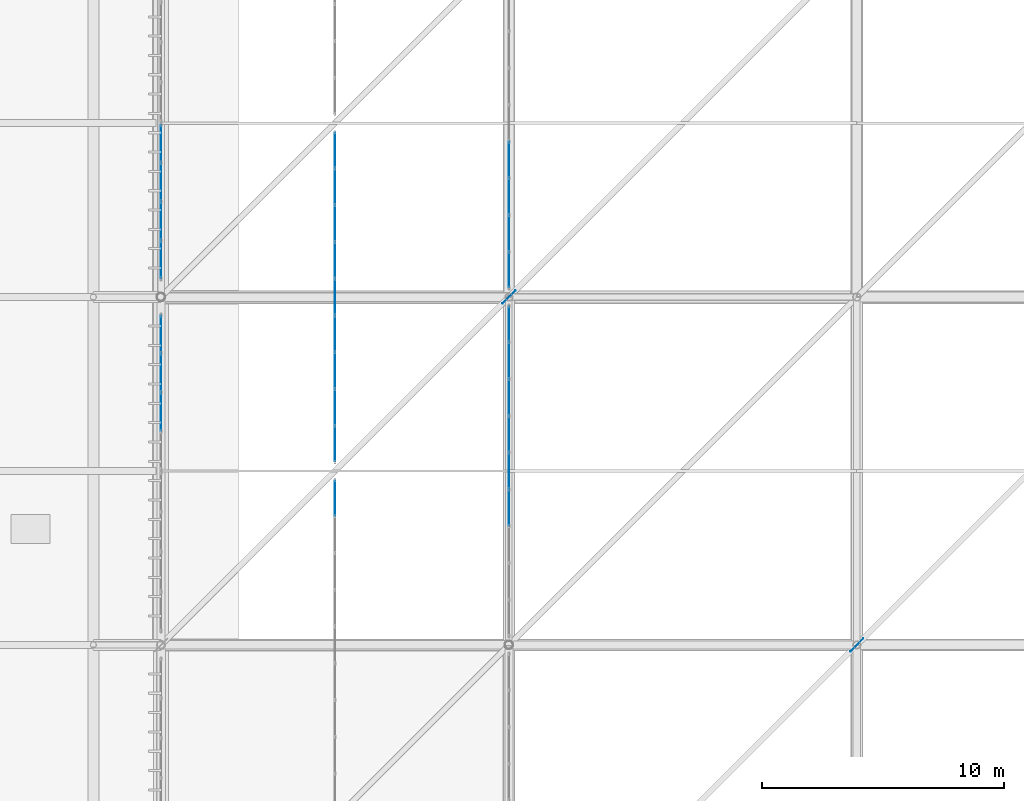
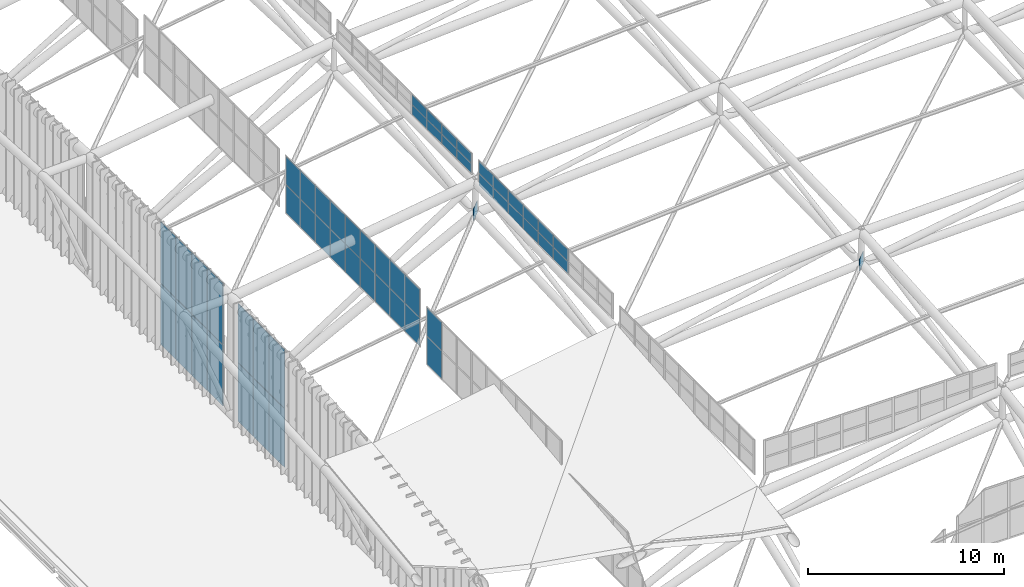
# One storey, part 363 of 397: 56 plates, 6 elements without a shape of their own.
"""IFC4 building model written with IfcOpenShell, lengths in metres."""

from ifc_helpers import new_model, si_unit, direction, frame, origin, origin_2d, place, context, subcontext, project, spatial, rectangle, extrude, material, layer, layer_set, type_object, element, aggregate, save


model = new_model("IFC4")

# Units and contexts
model_context = context("Model", 3, precision=1e-05, world=origin(), true_north=direction((0.0, 1.0)))
body_context = subcontext(model_context, "Body", "Model", "MODEL_VIEW")
ifc_project = project(units=[si_unit("LENGTHUNIT", "METRE"), si_unit("AREAUNIT", "SQUARE_METRE"), si_unit("VOLUMEUNIT", "CUBIC_METRE"), si_unit("PLANEANGLEUNIT", "RADIAN"), si_unit("MASSUNIT", "GRAM", prefix="KILO")], contexts=[model_context])

# Site, building, storey
site_placement = place(None, origin())
site = spatial("IfcSite", under=ifc_project, at=site_placement, CompositionType="ELEMENT")
building_placement = place(site_placement, origin())
building = spatial("IfcBuilding", under=site, at=building_placement, Name="Qandorah Velis Arena", CompositionType="ELEMENT")
storey_placement = place(building_placement, frame((0.0, 0.0, 27.5)))
storey = spatial("IfcBuildingStorey", under=building, at=storey_placement, Name="RF", CompositionType="ELEMENT", Elevation=27.5)

# Curtain wall, plates
ifc_material_1 = material(Name="Solar-control low-E double glazing", Category="glass")
curtain_wall_type_1 = type_object("IfcCurtainWallType", Name="ARC-CW-SYS08", PredefinedType="USERDEFINED", material=ifc_material_1)
curtain_wall_1_placement = place(storey_placement, origin())
curtain_wall_1 = element("IfcCurtainWall", 1, at=curtain_wall_1_placement, inside=storey, type_object=curtain_wall_type_1, Name="Unitised curtain wall MON-1-2", ObjectType="UNITISED CURTAIN WALL", PredefinedType="USERDEFINED")
ifc_layer_1 = layer(ifc_material_1, 0.030029296875)
ifc_layer_set_1 = layer_set([ifc_layer_1], Name="Solar-control low-E double glazing")
plate_type_1 = type_object("IfcPlateType", Name="ARC-CWP-GLZ30", PredefinedType="CURTAIN_PANEL", material=ifc_layer_set_1)
plate_1_placement = place(storey_placement, frame((21.60009765625, 49.275146484375, 5.1943359375), z_axis=(0.0, 0.0, 1.0), x_axis=(0.0, 1.0, 0.0)))
plate_1 = element("IfcPlate", 2, at=plate_1_placement, type_object=plate_type_1, Name="CW08 panel 9.1", PredefinedType="CURTAIN_PANEL", context=body_context, shape_type="SweptSolid", body=[
    extrude(rectangle(XDim=1.459716796875, YDim=0.030029296875, at=origin_2d()), origin(), (0.0, 0.0, 1.0), 1.737548828125),
])
plate_2_placement = place(storey_placement, frame((21.60009765625, 49.275146484375, 6.966796875), z_axis=(0.0, 0.0, 1.0), x_axis=(0.0, 1.0, 0.0)))
plate_2 = element("IfcPlate", 3, at=plate_2_placement, type_object=plate_type_1, Name="CW08 panel 9.2", PredefinedType="CURTAIN_PANEL", context=body_context, shape_type="SweptSolid", body=[
    extrude(rectangle(XDim=1.459716796875, YDim=0.030029296875, at=origin_2d()), origin(), (0.0, 0.0, 1.0), 1.737548828125),
])
aggregate(curtain_wall_1, [plate_1, plate_2])

curtain_wall_type_2 = type_object("IfcCurtainWallType", Name="ARC-CW-SYS09", PredefinedType="USERDEFINED", material=ifc_material_1)
curtain_wall_2_placement = place(storey_placement, origin())
curtain_wall_2 = element("IfcCurtainWall", 4, at=curtain_wall_2_placement, inside=storey, type_object=curtain_wall_type_2, Name="Unitised curtain wall MON-1-3", ObjectType="UNITISED CURTAIN WALL", PredefinedType="USERDEFINED")
plate_3_placement = place(storey_placement, frame((21.60009765625, 51.52490234375, 5.89013671875), z_axis=(0.0, 0.0, 1.0), x_axis=(0.0, 1.0, 0.0)))
plate_3 = element("IfcPlate", 5, at=plate_3_placement, type_object=plate_type_1, Name="CW09 panel 1.1", PredefinedType="CURTAIN_PANEL", context=body_context, shape_type="SweptSolid", body=[
    extrude(rectangle(XDim=1.459716796875, YDim=0.030029296875, at=origin_2d()), origin(), (0.0, 0.0, 1.0), 1.737548828125),
])
plate_4_placement = place(storey_placement, frame((21.60009765625, 51.52490234375, 7.66259765625), z_axis=(0.0, 0.0, 1.0), x_axis=(0.0, 1.0, 0.0)))
plate_4 = element("IfcPlate", 6, at=plate_4_placement, type_object=plate_type_1, Name="CW09 panel 1.2", PredefinedType="CURTAIN_PANEL", context=body_context, shape_type="SweptSolid", body=[
    extrude(rectangle(XDim=1.459716796875, YDim=0.030029296875, at=origin_2d()), origin(), (0.0, 0.0, 1.0), 1.737548828125),
])
plate_5_placement = place(storey_placement, frame((21.60009765625, 53.033447265625, 5.89013671875), z_axis=(0.0, 0.0, 1.0), x_axis=(0.0, 1.0, 0.0)))
plate_5 = element("IfcPlate", 7, at=plate_5_placement, type_object=plate_type_1, Name="CW09 panel 2.1", PredefinedType="CURTAIN_PANEL", context=body_context, shape_type="SweptSolid", body=[
    extrude(rectangle(XDim=1.4873046875, YDim=0.030029296875, at=origin_2d()), origin(), (0.0, 0.0, 1.0), 1.737548828125),
])
plate_6_placement = place(storey_placement, frame((21.60009765625, 53.033447265625, 7.66259765625), z_axis=(0.0, 0.0, 1.0), x_axis=(0.0, 1.0, 0.0)))
plate_6 = element("IfcPlate", 8, at=plate_6_placement, type_object=plate_type_1, Name="CW09 panel 2.2", PredefinedType="CURTAIN_PANEL", context=body_context, shape_type="SweptSolid", body=[
    extrude(rectangle(XDim=1.4873046875, YDim=0.030029296875, at=origin_2d()), origin(), (0.0, 0.0, 1.0), 1.737548828125),
])
plate_7_placement = place(storey_placement, frame((21.60009765625, 54.5556640625, 5.89013671875), z_axis=(0.0, 0.0, 1.0), x_axis=(0.0, 1.0, 0.0)))
plate_7 = element("IfcPlate", 9, at=plate_7_placement, type_object=plate_type_1, Name="CW09 panel 3.1", PredefinedType="CURTAIN_PANEL", context=body_context, shape_type="SweptSolid", body=[
    extrude(rectangle(XDim=1.4873046875, YDim=0.030029296875, at=origin_2d()), origin(), (0.0, 0.0, 1.0), 1.737548828125),
])
plate_8_placement = place(storey_placement, frame((21.60009765625, 54.5556640625, 7.66259765625), z_axis=(0.0, 0.0, 1.0), x_axis=(0.0, 1.0, 0.0)))
plate_8 = element("IfcPlate", 10, at=plate_8_placement, type_object=plate_type_1, Name="CW09 panel 3.2", PredefinedType="CURTAIN_PANEL", context=body_context, shape_type="SweptSolid", body=[
    extrude(rectangle(XDim=1.4873046875, YDim=0.030029296875, at=origin_2d()), origin(), (0.0, 0.0, 1.0), 1.737548828125),
])
plate_9_placement = place(storey_placement, frame((21.60009765625, 56.077880859375, 5.89013671875), z_axis=(0.0, 0.0, 1.0), x_axis=(0.0, 1.0, 0.0)))
plate_9 = element("IfcPlate", 11, at=plate_9_placement, type_object=plate_type_1, Name="CW09 panel 4.1", PredefinedType="CURTAIN_PANEL", context=body_context, shape_type="SweptSolid", body=[
    extrude(rectangle(XDim=1.4873046875, YDim=0.030029296875, at=origin_2d()), origin(), (0.0, 0.0, 1.0), 1.737548828125),
])
plate_10_placement = place(storey_placement, frame((21.60009765625, 56.077880859375, 7.66259765625), z_axis=(0.0, 0.0, 1.0), x_axis=(0.0, 1.0, 0.0)))
plate_10 = element("IfcPlate", 12, at=plate_10_placement, type_object=plate_type_1, Name="CW09 panel 4.2", PredefinedType="CURTAIN_PANEL", context=body_context, shape_type="SweptSolid", body=[
    extrude(rectangle(XDim=1.4873046875, YDim=0.030029296875, at=origin_2d()), origin(), (0.0, 0.0, 1.0), 1.737548828125),
])
plate_11_placement = place(storey_placement, frame((21.60009765625, 57.60009765625, 5.89013671875), z_axis=(0.0, 0.0, 1.0), x_axis=(0.0, 1.0, 0.0)))
plate_11 = element("IfcPlate", 13, at=plate_11_placement, type_object=plate_type_1, Name="CW09 panel 5.1", PredefinedType="CURTAIN_PANEL", context=body_context, shape_type="SweptSolid", body=[
    extrude(rectangle(XDim=1.4873046875, YDim=0.030029296875, at=origin_2d()), origin(), (0.0, 0.0, 1.0), 1.737548828125),
])
plate_12_placement = place(storey_placement, frame((21.60009765625, 57.60009765625, 7.66259765625), z_axis=(0.0, 0.0, 1.0), x_axis=(0.0, 1.0, 0.0)))
plate_12 = element("IfcPlate", 14, at=plate_12_placement, type_object=plate_type_1, Name="CW09 panel 5.2", PredefinedType="CURTAIN_PANEL", context=body_context, shape_type="SweptSolid", body=[
    extrude(rectangle(XDim=1.4873046875, YDim=0.030029296875, at=origin_2d()), origin(), (0.0, 0.0, 1.0), 1.737548828125),
])
plate_13_placement = place(storey_placement, frame((21.60009765625, 59.122314453125, 5.89013671875), z_axis=(0.0, 0.0, 1.0), x_axis=(0.0, 1.0, 0.0)))
plate_13 = element("IfcPlate", 15, at=plate_13_placement, type_object=plate_type_1, Name="CW09 panel 6.1", PredefinedType="CURTAIN_PANEL", context=body_context, shape_type="SweptSolid", body=[
    extrude(rectangle(XDim=1.4873046875, YDim=0.030029296875, at=origin_2d()), origin(), (0.0, 0.0, 1.0), 1.737548828125),
])
plate_14_placement = place(storey_placement, frame((21.60009765625, 59.122314453125, 7.66259765625), z_axis=(0.0, 0.0, 1.0), x_axis=(0.0, 1.0, 0.0)))
plate_14 = element("IfcPlate", 16, at=plate_14_placement, type_object=plate_type_1, Name="CW09 panel 6.2", PredefinedType="CURTAIN_PANEL", context=body_context, shape_type="SweptSolid", body=[
    extrude(rectangle(XDim=1.4873046875, YDim=0.030029296875, at=origin_2d()), origin(), (0.0, 0.0, 1.0), 1.737548828125),
])
plate_15_placement = place(storey_placement, frame((21.60009765625, 60.64453125, 5.89013671875), z_axis=(0.0, 0.0, 1.0), x_axis=(0.0, 1.0, 0.0)))
plate_15 = element("IfcPlate", 17, at=plate_15_placement, type_object=plate_type_1, Name="CW09 panel 7.1", PredefinedType="CURTAIN_PANEL", context=body_context, shape_type="SweptSolid", body=[
    extrude(rectangle(XDim=1.4873046875, YDim=0.030029296875, at=origin_2d()), origin(), (0.0, 0.0, 1.0), 1.737548828125),
])
plate_16_placement = place(storey_placement, frame((21.60009765625, 60.64453125, 7.66259765625), z_axis=(0.0, 0.0, 1.0), x_axis=(0.0, 1.0, 0.0)))
plate_16 = element("IfcPlate", 18, at=plate_16_placement, type_object=plate_type_1, Name="CW09 panel 7.2", PredefinedType="CURTAIN_PANEL", context=body_context, shape_type="SweptSolid", body=[
    extrude(rectangle(XDim=1.4873046875, YDim=0.030029296875, at=origin_2d()), origin(), (0.0, 0.0, 1.0), 1.737548828125),
])
plate_17_placement = place(storey_placement, frame((21.60009765625, 62.166748046875, 5.89013671875), z_axis=(0.0, 0.0, 1.0), x_axis=(0.0, 1.0, 0.0)))
plate_17 = element("IfcPlate", 19, at=plate_17_placement, type_object=plate_type_1, Name="CW09 panel 8.1", PredefinedType="CURTAIN_PANEL", context=body_context, shape_type="SweptSolid", body=[
    extrude(rectangle(XDim=1.4873046875, YDim=0.030029296875, at=origin_2d()), origin(), (0.0, 0.0, 1.0), 1.737548828125),
])
plate_18_placement = place(storey_placement, frame((21.60009765625, 62.166748046875, 7.66259765625), z_axis=(0.0, 0.0, 1.0), x_axis=(0.0, 1.0, 0.0)))
plate_18 = element("IfcPlate", 20, at=plate_18_placement, type_object=plate_type_1, Name="CW09 panel 8.2", PredefinedType="CURTAIN_PANEL", context=body_context, shape_type="SweptSolid", body=[
    extrude(rectangle(XDim=1.4873046875, YDim=0.030029296875, at=origin_2d()), origin(), (0.0, 0.0, 1.0), 1.737548828125),
])
plate_19_placement = place(storey_placement, frame((21.60009765625, 63.675048828125, 5.89013671875), z_axis=(0.0, 0.0, 1.0), x_axis=(0.0, 1.0, 0.0)))
plate_19 = element("IfcPlate", 21, at=plate_19_placement, type_object=plate_type_1, Name="CW09 panel 9.1", PredefinedType="CURTAIN_PANEL", context=body_context, shape_type="SweptSolid", body=[
    extrude(rectangle(XDim=1.459716796875, YDim=0.030029296875, at=origin_2d()), origin(), (0.0, 0.0, 1.0), 1.737548828125),
])
plate_20_placement = place(storey_placement, frame((21.60009765625, 63.675048828125, 7.66259765625), z_axis=(0.0, 0.0, 1.0), x_axis=(0.0, 1.0, 0.0)))
plate_20 = element("IfcPlate", 22, at=plate_20_placement, type_object=plate_type_1, Name="CW09 panel 9.2", PredefinedType="CURTAIN_PANEL", context=body_context, shape_type="SweptSolid", body=[
    extrude(rectangle(XDim=1.459716796875, YDim=0.030029296875, at=origin_2d()), origin(), (0.0, 0.0, 1.0), 1.737548828125),
])
aggregate(curtain_wall_2, [plate_3, plate_4, plate_5, plate_6, plate_7, plate_8, plate_9, plate_10, plate_11, plate_12, plate_13, plate_14, plate_15, plate_16, plate_17, plate_18, plate_19, plate_20])

curtain_wall_type_3 = type_object("IfcCurtainWallType", Name="ARC-CW-SYS07", PredefinedType="USERDEFINED", material=ifc_material_1)
curtain_wall_3_placement = place(storey_placement, origin())
curtain_wall_3 = element("IfcCurtainWall", 23, at=curtain_wall_3_placement, inside=storey, type_object=curtain_wall_type_3, Name="Unitised curtain wall OCULUS-1-2", ObjectType="UNITISED CURTAIN WALL", PredefinedType="USERDEFINED")
plate_21_placement = place(storey_placement, frame((28.800048828125, 48.877685546875, 9.47265625), z_axis=(0.0, 0.0, 1.0), x_axis=(0.0, 1.0, 0.0)))
plate_21 = element("IfcPlate", 24, at=plate_21_placement, type_object=plate_type_1, Name="CW07 panel 4.1", PredefinedType="CURTAIN_PANEL", context=body_context, shape_type="SweptSolid", body=[
    extrude(rectangle(XDim=1.4873046875, YDim=0.030029296875, at=origin_2d()), origin(), (0.0, 0.0, 1.0), 0.723876953125),
])
plate_22_placement = place(storey_placement, frame((28.800048828125, 48.877685546875, 10.2314453125), z_axis=(0.0, 0.0, 1.0), x_axis=(0.0, 1.0, 0.0)))
plate_22 = element("IfcPlate", 25, at=plate_22_placement, type_object=plate_type_1, Name="CW07 panel 4.2", PredefinedType="CURTAIN_PANEL", context=body_context, shape_type="SweptSolid", body=[
    extrude(rectangle(XDim=1.4873046875, YDim=0.030029296875, at=origin_2d()), origin(), (0.0, 0.0, 1.0), 0.7236328125),
])
plate_23_placement = place(storey_placement, frame((28.800048828125, 50.39990234375, 9.47265625), z_axis=(0.0, 0.0, 1.0), x_axis=(0.0, 1.0, 0.0)))
plate_23 = element("IfcPlate", 26, at=plate_23_placement, type_object=plate_type_1, Name="CW07 panel 5.1", PredefinedType="CURTAIN_PANEL", context=body_context, shape_type="SweptSolid", body=[
    extrude(rectangle(XDim=1.4873046875, YDim=0.030029296875, at=origin_2d()), origin(), (0.0, 0.0, 1.0), 0.723876953125),
])
plate_24_placement = place(storey_placement, frame((28.800048828125, 50.39990234375, 10.2314453125), z_axis=(0.0, 0.0, 1.0), x_axis=(0.0, 1.0, 0.0)))
plate_24 = element("IfcPlate", 27, at=plate_24_placement, type_object=plate_type_1, Name="CW07 panel 5.2", PredefinedType="CURTAIN_PANEL", context=body_context, shape_type="SweptSolid", body=[
    extrude(rectangle(XDim=1.4873046875, YDim=0.030029296875, at=origin_2d()), origin(), (0.0, 0.0, 1.0), 0.7236328125),
])
plate_25_placement = place(storey_placement, frame((28.800048828125, 51.922119140625, 9.47265625), z_axis=(0.0, 0.0, 1.0), x_axis=(0.0, 1.0, 0.0)))
plate_25 = element("IfcPlate", 28, at=plate_25_placement, type_object=plate_type_1, Name="CW07 panel 6.1", PredefinedType="CURTAIN_PANEL", context=body_context, shape_type="SweptSolid", body=[
    extrude(rectangle(XDim=1.4873046875, YDim=0.030029296875, at=origin_2d()), origin(), (0.0, 0.0, 1.0), 0.723876953125),
])
plate_26_placement = place(storey_placement, frame((28.800048828125, 51.922119140625, 10.2314453125), z_axis=(0.0, 0.0, 1.0), x_axis=(0.0, 1.0, 0.0)))
plate_26 = element("IfcPlate", 29, at=plate_26_placement, type_object=plate_type_1, Name="CW07 panel 6.2", PredefinedType="CURTAIN_PANEL", context=body_context, shape_type="SweptSolid", body=[
    extrude(rectangle(XDim=1.4873046875, YDim=0.030029296875, at=origin_2d()), origin(), (0.0, 0.0, 1.0), 0.7236328125),
])
plate_27_placement = place(storey_placement, frame((28.800048828125, 53.4443359375, 9.47265625), z_axis=(0.0, 0.0, 1.0), x_axis=(0.0, 1.0, 0.0)))
plate_27 = element("IfcPlate", 30, at=plate_27_placement, type_object=plate_type_1, Name="CW07 panel 7.1", PredefinedType="CURTAIN_PANEL", context=body_context, shape_type="SweptSolid", body=[
    extrude(rectangle(XDim=1.4873046875, YDim=0.030029296875, at=origin_2d()), origin(), (0.0, 0.0, 1.0), 0.723876953125),
])
plate_28_placement = place(storey_placement, frame((28.800048828125, 53.4443359375, 10.2314453125), z_axis=(0.0, 0.0, 1.0), x_axis=(0.0, 1.0, 0.0)))
plate_28 = element("IfcPlate", 31, at=plate_28_placement, type_object=plate_type_1, Name="CW07 panel 7.2", PredefinedType="CURTAIN_PANEL", context=body_context, shape_type="SweptSolid", body=[
    extrude(rectangle(XDim=1.4873046875, YDim=0.030029296875, at=origin_2d()), origin(), (0.0, 0.0, 1.0), 0.7236328125),
])
plate_29_placement = place(storey_placement, frame((28.800048828125, 54.966552734375, 9.47265625), z_axis=(0.0, 0.0, 1.0), x_axis=(0.0, 1.0, 0.0)))
plate_29 = element("IfcPlate", 32, at=plate_29_placement, type_object=plate_type_1, Name="CW07 panel 8.1", PredefinedType="CURTAIN_PANEL", context=body_context, shape_type="SweptSolid", body=[
    extrude(rectangle(XDim=1.4873046875, YDim=0.030029296875, at=origin_2d()), origin(), (0.0, 0.0, 1.0), 0.723876953125),
])
plate_30_placement = place(storey_placement, frame((28.800048828125, 54.966552734375, 10.2314453125), z_axis=(0.0, 0.0, 1.0), x_axis=(0.0, 1.0, 0.0)))
plate_30 = element("IfcPlate", 33, at=plate_30_placement, type_object=plate_type_1, Name="CW07 panel 8.2", PredefinedType="CURTAIN_PANEL", context=body_context, shape_type="SweptSolid", body=[
    extrude(rectangle(XDim=1.4873046875, YDim=0.030029296875, at=origin_2d()), origin(), (0.0, 0.0, 1.0), 0.7236328125),
])
plate_31_placement = place(storey_placement, frame((28.800048828125, 56.47509765625, 9.47265625), z_axis=(0.0, 0.0, 1.0), x_axis=(0.0, 1.0, 0.0)))
plate_31 = element("IfcPlate", 34, at=plate_31_placement, type_object=plate_type_1, Name="CW07 panel 9.1", PredefinedType="CURTAIN_PANEL", context=body_context, shape_type="SweptSolid", body=[
    extrude(rectangle(XDim=1.459716796875, YDim=0.030029296875, at=origin_2d()), origin(), (0.0, 0.0, 1.0), 0.723876953125),
])
plate_32_placement = place(storey_placement, frame((28.800048828125, 56.47509765625, 10.2314453125), z_axis=(0.0, 0.0, 1.0), x_axis=(0.0, 1.0, 0.0)))
plate_32 = element("IfcPlate", 35, at=plate_32_placement, type_object=plate_type_1, Name="CW07 panel 9.2", PredefinedType="CURTAIN_PANEL", context=body_context, shape_type="SweptSolid", body=[
    extrude(rectangle(XDim=1.459716796875, YDim=0.030029296875, at=origin_2d()), origin(), (0.0, 0.0, 1.0), 0.7236328125),
])
aggregate(curtain_wall_3, [plate_21, plate_22, plate_23, plate_24, plate_25, plate_26, plate_27, plate_28, plate_29, plate_30, plate_31, plate_32])

curtain_wall_4_placement = place(storey_placement, origin())
curtain_wall_4 = element("IfcCurtainWall", 36, at=curtain_wall_4_placement, inside=storey, type_object=curtain_wall_type_1, Name="Unitised curtain wall OCULUS-1-3", ObjectType="UNITISED CURTAIN WALL", PredefinedType="USERDEFINED")
plate_33_placement = place(storey_placement, frame((28.800048828125, 58.724853515625, 9.744140625), z_axis=(0.0, 0.0, 1.0), x_axis=(0.0, 1.0, 0.0)))
plate_33 = element("IfcPlate", 37, at=plate_33_placement, type_object=plate_type_1, Name="CW08 panel 1.1", PredefinedType="CURTAIN_PANEL", context=body_context, shape_type="SweptSolid", body=[
    extrude(rectangle(XDim=1.459716796875, YDim=0.030029296875, at=origin_2d()), origin(), (0.0, 0.0, 1.0), 0.587890625),
])
plate_34_placement = place(storey_placement, frame((28.800048828125, 58.724853515625, 10.366943359375), z_axis=(0.0, 0.0, 1.0), x_axis=(0.0, 1.0, 0.0)))
plate_34 = element("IfcPlate", 38, at=plate_34_placement, type_object=plate_type_1, Name="CW08 panel 1.2", PredefinedType="CURTAIN_PANEL", context=body_context, shape_type="SweptSolid", body=[
    extrude(rectangle(XDim=1.459716796875, YDim=0.030029296875, at=origin_2d()), origin(), (0.0, 0.0, 1.0), 0.587890625),
])
plate_35_placement = place(storey_placement, frame((28.800048828125, 60.2333984375, 9.744140625), z_axis=(0.0, 0.0, 1.0), x_axis=(0.0, 1.0, 0.0)))
plate_35 = element("IfcPlate", 39, at=plate_35_placement, type_object=plate_type_1, Name="CW08 panel 2.1", PredefinedType="CURTAIN_PANEL", context=body_context, shape_type="SweptSolid", body=[
    extrude(rectangle(XDim=1.4873046875, YDim=0.030029296875, at=origin_2d()), origin(), (0.0, 0.0, 1.0), 0.587890625),
])
plate_36_placement = place(storey_placement, frame((28.800048828125, 60.2333984375, 10.366943359375), z_axis=(0.0, 0.0, 1.0), x_axis=(0.0, 1.0, 0.0)))
plate_36 = element("IfcPlate", 40, at=plate_36_placement, type_object=plate_type_1, Name="CW08 panel 2.2", PredefinedType="CURTAIN_PANEL", context=body_context, shape_type="SweptSolid", body=[
    extrude(rectangle(XDim=1.4873046875, YDim=0.030029296875, at=origin_2d()), origin(), (0.0, 0.0, 1.0), 0.587890625),
])
plate_37_placement = place(storey_placement, frame((28.800048828125, 61.755615234375, 9.744140625), z_axis=(0.0, 0.0, 1.0), x_axis=(0.0, 1.0, 0.0)))
plate_37 = element("IfcPlate", 41, at=plate_37_placement, type_object=plate_type_1, Name="CW08 panel 3.1", PredefinedType="CURTAIN_PANEL", context=body_context, shape_type="SweptSolid", body=[
    extrude(rectangle(XDim=1.4873046875, YDim=0.030029296875, at=origin_2d()), origin(), (0.0, 0.0, 1.0), 0.587890625),
])
plate_38_placement = place(storey_placement, frame((28.800048828125, 61.755615234375, 10.366943359375), z_axis=(0.0, 0.0, 1.0), x_axis=(0.0, 1.0, 0.0)))
plate_38 = element("IfcPlate", 42, at=plate_38_placement, type_object=plate_type_1, Name="CW08 panel 3.2", PredefinedType="CURTAIN_PANEL", context=body_context, shape_type="SweptSolid", body=[
    extrude(rectangle(XDim=1.4873046875, YDim=0.030029296875, at=origin_2d()), origin(), (0.0, 0.0, 1.0), 0.587890625),
])
plate_39_placement = place(storey_placement, frame((28.800048828125, 63.27783203125, 9.744140625), z_axis=(0.0, 0.0, 1.0), x_axis=(0.0, 1.0, 0.0)))
plate_39 = element("IfcPlate", 43, at=plate_39_placement, type_object=plate_type_1, Name="CW08 panel 4.1", PredefinedType="CURTAIN_PANEL", context=body_context, shape_type="SweptSolid", body=[
    extrude(rectangle(XDim=1.4873046875, YDim=0.030029296875, at=origin_2d()), origin(), (0.0, 0.0, 1.0), 0.587890625),
])
plate_40_placement = place(storey_placement, frame((28.800048828125, 63.27783203125, 10.366943359375), z_axis=(0.0, 0.0, 1.0), x_axis=(0.0, 1.0, 0.0)))
plate_40 = element("IfcPlate", 44, at=plate_40_placement, type_object=plate_type_1, Name="CW08 panel 4.2", PredefinedType="CURTAIN_PANEL", context=body_context, shape_type="SweptSolid", body=[
    extrude(rectangle(XDim=1.4873046875, YDim=0.030029296875, at=origin_2d()), origin(), (0.0, 0.0, 1.0), 0.587890625),
])
aggregate(curtain_wall_4, [plate_33, plate_34, plate_35, plate_36, plate_37, plate_38, plate_39, plate_40])

curtain_wall_type_4 = type_object("IfcCurtainWallType", Name="ARC-CW-SYS04", PredefinedType="USERDEFINED", material=ifc_material_1)
curtain_wall_5_placement = place(storey_placement, origin())
curtain_wall_5 = element("IfcCurtainWall", 45, at=curtain_wall_5_placement, inside=storey, type_object=curtain_wall_type_4, Name="Unitised curtain wall CROWN-1-03S2", ObjectType="UNITISED CURTAIN WALL", PredefinedType="USERDEFINED")
ifc_layer_2 = layer(ifc_material_1, 0.035888671875)
ifc_layer_set_2 = layer_set([ifc_layer_2], Name="Solar-control low-E double glazing")
plate_type_2 = type_object("IfcPlateType", Name="ARC-CWP-GLZ36", PredefinedType="CURTAIN_PANEL", material=ifc_layer_set_2)
plate_41_placement = place(storey_placement, frame((14.39990234375, 52.85302734375, 0.050048828125), z_axis=(0.0, 0.0, 1.0), x_axis=(0.0, 1.0, 0.0)))
plate_41 = element("IfcPlate", 46, at=plate_41_placement, type_object=plate_type_2, Name="CW04 panel 2.1", PredefinedType="CURTAIN_PANEL", context=body_context, shape_type="SweptSolid", body=[
    extrude(rectangle(XDim=1.56884765625, YDim=0.035888671875, at=origin_2d()), origin(), (0.0, 0.0, 1.0), 3.64111328125),
])
plate_42_placement = place(storey_placement, frame((14.39990234375, 52.85302734375, 3.73095703125), z_axis=(0.0, 0.0, 1.0), x_axis=(0.0, 1.0, 0.0)))
plate_42 = element("IfcPlate", 47, at=plate_42_placement, type_object=plate_type_2, Name="CW04 panel 2.2", PredefinedType="CURTAIN_PANEL", context=body_context, shape_type="SweptSolid", body=[
    extrude(rectangle(XDim=1.56884765625, YDim=0.035888671875, at=origin_2d()), origin(), (0.0, 0.0, 1.0), 3.641357421875),
])
plate_43_placement = place(storey_placement, frame((14.39990234375, 54.4619140625, 0.050048828125), z_axis=(0.0, 0.0, 1.0), x_axis=(0.0, 1.0, 0.0)))
plate_43 = element("IfcPlate", 48, at=plate_43_placement, type_object=plate_type_2, Name="CW04 panel 3.1", PredefinedType="CURTAIN_PANEL", context=body_context, shape_type="SweptSolid", body=[
    extrude(rectangle(XDim=1.56884765625, YDim=0.035888671875, at=origin_2d()), origin(), (0.0, 0.0, 1.0), 3.64111328125),
])
plate_44_placement = place(storey_placement, frame((14.39990234375, 54.4619140625, 3.73095703125), z_axis=(0.0, 0.0, 1.0), x_axis=(0.0, 1.0, 0.0)))
plate_44 = element("IfcPlate", 49, at=plate_44_placement, type_object=plate_type_2, Name="CW04 panel 3.2", PredefinedType="CURTAIN_PANEL", context=body_context, shape_type="SweptSolid", body=[
    extrude(rectangle(XDim=1.56884765625, YDim=0.035888671875, at=origin_2d()), origin(), (0.0, 0.0, 1.0), 3.641357421875),
])
plate_45_placement = place(storey_placement, frame((14.39990234375, 56.0556640625, 0.050048828125), z_axis=(0.0, 0.0, 1.0), x_axis=(0.0, 1.0, 0.0)))
plate_45 = element("IfcPlate", 50, at=plate_45_placement, type_object=plate_type_2, Name="CW04 panel 4.1", PredefinedType="CURTAIN_PANEL", context=body_context, shape_type="SweptSolid", body=[
    extrude(rectangle(XDim=1.538818359375, YDim=0.035888671875, at=origin_2d()), origin(), (0.0, 0.0, 1.0), 3.64111328125),
])
plate_46_placement = place(storey_placement, frame((14.39990234375, 56.0556640625, 3.73095703125), z_axis=(0.0, 0.0, 1.0), x_axis=(0.0, 1.0, 0.0)))
plate_46 = element("IfcPlate", 51, at=plate_46_placement, type_object=plate_type_2, Name="CW04 panel 4.2", PredefinedType="CURTAIN_PANEL", context=body_context, shape_type="SweptSolid", body=[
    extrude(rectangle(XDim=1.538818359375, YDim=0.035888671875, at=origin_2d()), origin(), (0.0, 0.0, 1.0), 3.641357421875),
])
aggregate(curtain_wall_5, [plate_41, plate_42, plate_43, plate_44, plate_45, plate_46])

curtain_wall_6_placement = place(storey_placement, origin())
curtain_wall_6 = element("IfcCurtainWall", 52, at=curtain_wall_6_placement, inside=storey, type_object=curtain_wall_type_4, Name="Unitised curtain wall CROWN-1-04S1", ObjectType="UNITISED CURTAIN WALL", PredefinedType="USERDEFINED")
plate_47_placement = place(storey_placement, frame((14.39990234375, 59.144287109375, 0.0498046875), z_axis=(0.0, 0.0, 1.0), x_axis=(0.0, 1.0, 0.0)))
plate_47 = element("IfcPlate", 53, at=plate_47_placement, type_object=plate_type_2, Name="CW04 panel 1.1", PredefinedType="CURTAIN_PANEL", context=body_context, shape_type="SweptSolid", body=[
    extrude(rectangle(XDim=1.538818359375, YDim=0.035888671875, at=origin_2d()), origin(), (0.0, 0.0, 1.0), 3.797607421875),
])
plate_48_placement = place(storey_placement, frame((14.39990234375, 59.144287109375, 3.8876953125), z_axis=(0.0, 0.0, 1.0), x_axis=(0.0, 1.0, 0.0)))
plate_48 = element("IfcPlate", 54, at=plate_48_placement, type_object=plate_type_2, Name="CW04 panel 1.2", PredefinedType="CURTAIN_PANEL", context=body_context, shape_type="SweptSolid", body=[
    extrude(rectangle(XDim=1.538818359375, YDim=0.035888671875, at=origin_2d()), origin(), (0.0, 0.0, 1.0), 3.797607421875),
])
plate_49_placement = place(storey_placement, frame((14.39990234375, 60.738037109375, 0.0498046875), z_axis=(0.0, 0.0, 1.0), x_axis=(0.0, 1.0, 0.0)))
plate_49 = element("IfcPlate", 55, at=plate_49_placement, type_object=plate_type_2, Name="CW04 panel 2.1", PredefinedType="CURTAIN_PANEL", context=body_context, shape_type="SweptSolid", body=[
    extrude(rectangle(XDim=1.56884765625, YDim=0.035888671875, at=origin_2d()), origin(), (0.0, 0.0, 1.0), 3.797607421875),
])
plate_50_placement = place(storey_placement, frame((14.39990234375, 60.738037109375, 3.8876953125), z_axis=(0.0, 0.0, 1.0), x_axis=(0.0, 1.0, 0.0)))
plate_50 = element("IfcPlate", 56, at=plate_50_placement, type_object=plate_type_2, Name="CW04 panel 2.2", PredefinedType="CURTAIN_PANEL", context=body_context, shape_type="SweptSolid", body=[
    extrude(rectangle(XDim=1.56884765625, YDim=0.035888671875, at=origin_2d()), origin(), (0.0, 0.0, 1.0), 3.797607421875),
])
plate_51_placement = place(storey_placement, frame((14.39990234375, 62.346923828125, 0.0498046875), z_axis=(0.0, 0.0, 1.0), x_axis=(0.0, 1.0, 0.0)))
plate_51 = element("IfcPlate", 57, at=plate_51_placement, type_object=plate_type_2, Name="CW04 panel 3.1", PredefinedType="CURTAIN_PANEL", context=body_context, shape_type="SweptSolid", body=[
    extrude(rectangle(XDim=1.56884765625, YDim=0.035888671875, at=origin_2d()), origin(), (0.0, 0.0, 1.0), 3.797607421875),
])
plate_52_placement = place(storey_placement, frame((14.39990234375, 62.346923828125, 3.8876953125), z_axis=(0.0, 0.0, 1.0), x_axis=(0.0, 1.0, 0.0)))
plate_52 = element("IfcPlate", 58, at=plate_52_placement, type_object=plate_type_2, Name="CW04 panel 3.2", PredefinedType="CURTAIN_PANEL", context=body_context, shape_type="SweptSolid", body=[
    extrude(rectangle(XDim=1.56884765625, YDim=0.035888671875, at=origin_2d()), origin(), (0.0, 0.0, 1.0), 3.797607421875),
])
plate_53_placement = place(storey_placement, frame((14.39990234375, 63.940673828125, 0.0498046875), z_axis=(0.0, 0.0, 1.0), x_axis=(0.0, 1.0, 0.0)))
plate_53 = element("IfcPlate", 59, at=plate_53_placement, type_object=plate_type_2, Name="CW04 panel 4.1", PredefinedType="CURTAIN_PANEL", context=body_context, shape_type="SweptSolid", body=[
    extrude(rectangle(XDim=1.538818359375, YDim=0.035888671875, at=origin_2d()), origin(), (0.0, 0.0, 1.0), 3.797607421875),
])
plate_54_placement = place(storey_placement, frame((14.39990234375, 63.940673828125, 3.8876953125), z_axis=(0.0, 0.0, 1.0), x_axis=(0.0, 1.0, 0.0)))
plate_54 = element("IfcPlate", 60, at=plate_54_placement, type_object=plate_type_2, Name="CW04 panel 4.2", PredefinedType="CURTAIN_PANEL", context=body_context, shape_type="SweptSolid", body=[
    extrude(rectangle(XDim=1.538818359375, YDim=0.035888671875, at=origin_2d()), origin(), (0.0, 0.0, 1.0), 3.797607421875),
])
aggregate(curtain_wall_6, [plate_47, plate_48, plate_49, plate_50, plate_51, plate_52, plate_53, plate_54])

# Plates
ifc_material_2 = material(Name="Steel S355", Category="steel")
ifc_layer_3 = layer(ifc_material_2, 0.02490234375)
ifc_layer_set_3 = layer_set([ifc_layer_3], Name="Steel S355")
plate_type_3 = type_object("IfcPlateType", Name="STR-PLT-GUS25", PredefinedType="SHEET", material=ifc_layer_set_3)
for number, where, z_axis, x_axis, name in (
    (61, (28.800048828125, 57.60009765625, 7.25830078125), (0.0, 0.0, 1.0), (0.707106781187, 0.707106781187, 0.0), "Space frame gusset plate 1.3"),
    (62, (43.199951171875, 43.199951171875, 7.813720703125), (0.0, 0.0, 1.0), (0.707106781187, 0.707106781187, 0.0), "Space frame gusset plate 2.2"),
):
    element("IfcPlate", number, at=place(storey_placement, frame(where, z_axis=z_axis, x_axis=x_axis)), inside=storey, type_object=plate_type_3, Name=name, PredefinedType="SHEET", context=body_context, shape_type="SweptSolid", body=[
        extrude(rectangle(XDim=0.75, YDim=0.02490234375, at=origin_2d()), origin(), (0.0, 0.0, 1.0), 0.75),
    ])

save(model, "model.ifc")
